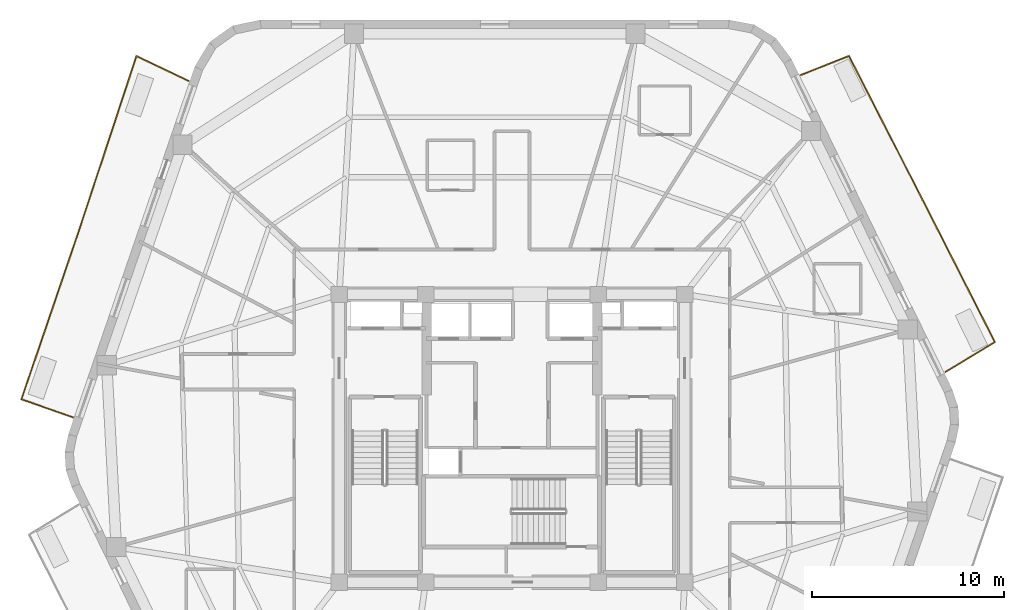
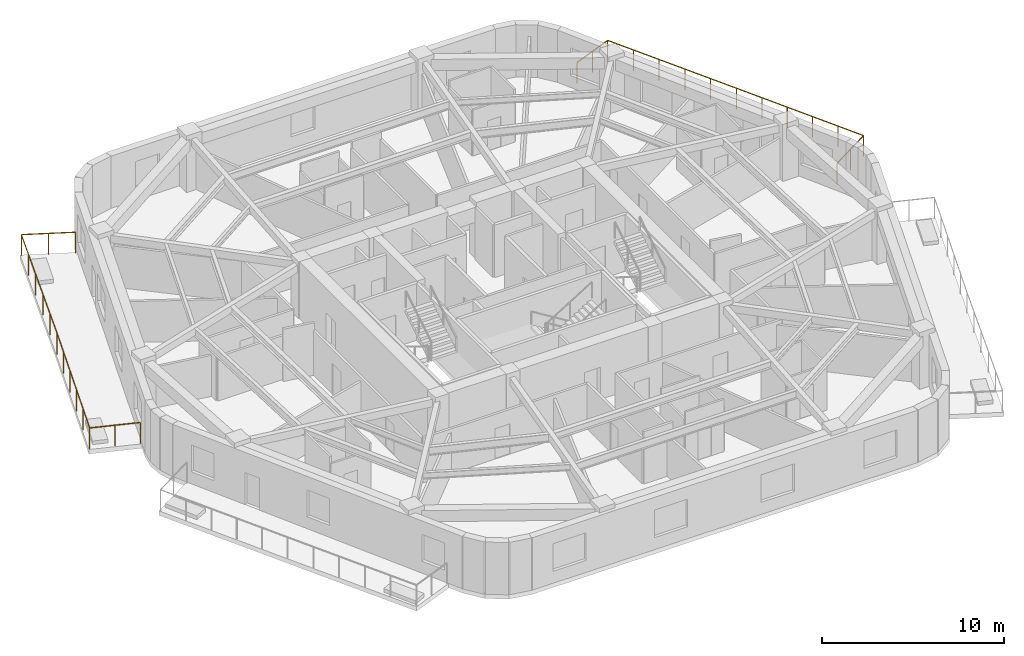
# One storey, part 9 of 9: 2 railings.
"""IFC4 building model written with IfcOpenShell, lengths in metres."""

from ifc_helpers import new_model, si_unit, direction, frame, origin, origin_2d, place, context, subcontext, project, spatial, rectangle, extrude, material, layer, layer_set, type_object, element, save


model = new_model("IFC4")

# Units and contexts
model_context = context("Model", 3, precision=1e-05, world=origin(), true_north=direction((0.0, 1.0)))
body_context = subcontext(model_context, "Body", "Model", "MODEL_VIEW")
ifc_project = project(units=[si_unit("LENGTHUNIT", "METRE"), si_unit("AREAUNIT", "SQUARE_METRE"), si_unit("VOLUMEUNIT", "CUBIC_METRE"), si_unit("PLANEANGLEUNIT", "RADIAN"), si_unit("MASSUNIT", "GRAM", prefix="KILO")], contexts=[model_context])

# Site, building, storey
site_placement = place(None, origin())
site = spatial("IfcSite", under=ifc_project, at=site_placement, CompositionType="ELEMENT")
building_placement = place(site_placement, origin())
building = spatial("IfcBuilding", under=site, at=building_placement, Name="Kilnhurst Terrace Hotel", CompositionType="ELEMENT")
storey_placement = place(building_placement, frame((0.0, 0.0, 233.10009765625)))
storey = spatial("IfcBuildingStorey", under=building, at=storey_placement, Name="L58", CompositionType="ELEMENT", Elevation=233.10009765625)

# Railings
ifc_material = material(Name="Laminated SentryGlas and Stainless Steel AISI 316L Balustrade", Category="steel")
ifc_layer = layer(ifc_material, 0.070068359375, Name="Laminated SentryGlas and Stainless Steel AISI 316L Balustrade")
ifc_layer_set = layer_set([ifc_layer], Name="Laminated SentryGlas and Stainless Steel AISI 316L Balustrade")
railing_type = type_object("IfcRailingType", Name="RLG-BAL-1420", PredefinedType="BALUSTRADE", material=ifc_layer_set)
railing_1_placement = place(storey_placement, frame((15.0546875, 18.933349609375, 0.0)))
element("IfcRailing", 1, at=railing_1_placement, inside=storey, type_object=railing_type, Name="L58 Exterior Terrace Guardrail BAL-L1B.1", PredefinedType="BALUSTRADE", context=body_context, shape_type="SweptSolid", body=[
    extrude(rectangle(XDim=0.048095703125, YDim=0.048095703125, at=origin_2d()), frame((0.0, 0.0, 1.39599609375), z_axis=(0.929913162101, 0.367779160574, 0.0), x_axis=(-0.367779160574, 0.929913162101, 0.0)), (0.0, 0.0, 1.0), 2.694580078125),
    extrude(rectangle(XDim=0.048095703125, YDim=0.048095703125, at=origin_2d()), frame((2.505615234375, 0.990966796875, 1.39599609375), z_axis=(0.455129479154, -0.890425267614, 0.0), x_axis=(0.890425267614, 0.455129479154, 0.0)), (0.0, 0.0, 1.0), 8.4072265625),
    extrude(rectangle(XDim=0.048095703125, YDim=0.048095703125, at=origin_2d()), frame((6.33203125, -6.4951171875, 1.39599609375), z_axis=(0.45338853952, -0.891312982196, 0.0), x_axis=(0.891312982196, 0.45338853952, 0.0)), (0.0, 0.0, 1.0), 8.320068359375),
    extrude(rectangle(XDim=0.048095703125, YDim=0.048095703125, at=origin_2d()), frame((10.104248046875, -13.910888671875, 1.39599609375), z_axis=(-0.854990626614, -0.518643450168, 0.0), x_axis=(0.518643450168, -0.854990626614, 0.0)), (0.0, 0.0, 1.0), 3.008056640625),
    extrude(rectangle(XDim=0.0419921875, YDim=0.0419921875, at=origin_2d()), origin(), (0.0, 0.0, 1.0), 1.371826171875),
    extrude(rectangle(XDim=0.0419921875, YDim=0.0419921875, at=origin_2d()), frame((1.2529296875, 0.49560546875, 0.0)), (0.0, 0.0, 1.0), 1.371826171875),
    extrude(rectangle(XDim=0.0419921875, YDim=0.0419921875, at=origin_2d()), frame((2.505615234375, 0.990966796875, 0.0)), (0.0, 0.0, 1.0), 1.371826171875),
    extrude(rectangle(XDim=0.0419921875, YDim=0.0419921875, at=origin_2d()), frame((3.27099609375, -0.50634765625, 0.0)), (0.0, 0.0, 1.0), 1.371826171875),
    extrude(rectangle(XDim=0.0419921875, YDim=0.0419921875, at=origin_2d()), frame((4.0361328125, -2.00341796875, 0.0)), (0.0, 0.0, 1.0), 1.371826171875),
    extrude(rectangle(XDim=0.0419921875, YDim=0.0419921875, at=origin_2d()), frame((4.801513671875, -3.500732421875, 0.0)), (0.0, 0.0, 1.0), 1.371826171875),
    extrude(rectangle(XDim=0.0419921875, YDim=0.0419921875, at=origin_2d()), frame((5.566650390625, -4.997802734375, 0.0)), (0.0, 0.0, 1.0), 1.371826171875),
    extrude(rectangle(XDim=0.0419921875, YDim=0.0419921875, at=origin_2d()), frame((6.33203125, -6.4951171875, 0.0)), (0.0, 0.0, 1.0), 1.371826171875),
    extrude(rectangle(XDim=0.0419921875, YDim=0.0419921875, at=origin_2d()), frame((7.08642578125, -7.978271484375, 0.0)), (0.0, 0.0, 1.0), 1.371826171875),
    extrude(rectangle(XDim=0.0419921875, YDim=0.0419921875, at=origin_2d()), frame((7.8408203125, -9.46142578125, 0.0)), (0.0, 0.0, 1.0), 1.371826171875),
    extrude(rectangle(XDim=0.0419921875, YDim=0.0419921875, at=origin_2d()), frame((8.595458984375, -10.944580078125, 0.0)), (0.0, 0.0, 1.0), 1.371826171875),
    extrude(rectangle(XDim=0.0419921875, YDim=0.0419921875, at=origin_2d()), frame((9.349853515625, -12.427734375, 0.0)), (0.0, 0.0, 1.0), 1.371826171875),
    extrude(rectangle(XDim=0.0419921875, YDim=0.0419921875, at=origin_2d()), frame((10.104248046875, -13.910888671875, 0.0)), (0.0, 0.0, 1.0), 1.371826171875),
    extrude(rectangle(XDim=0.0419921875, YDim=0.0419921875, at=origin_2d()), frame((8.818359375, -14.69091796875, 0.0)), (0.0, 0.0, 1.0), 1.371826171875),
    extrude(rectangle(XDim=0.0419921875, YDim=0.0419921875, at=origin_2d()), frame((7.532470703125, -15.470947265625, 0.0)), (0.0, 0.0, 1.0), 1.371826171875),
])
railing_2_placement = place(storey_placement, frame((-22.894287109375, 1.1005859375, 0.0)))
element("IfcRailing", 2, at=railing_2_placement, inside=storey, type_object=railing_type, Name="L58 Exterior Terrace Guardrail BAL-L2A.1", PredefinedType="BALUSTRADE", context=body_context, shape_type="SweptSolid", body=[
    extrude(rectangle(XDim=0.048095703125, YDim=0.048095703125, at=origin_2d()), frame((0.0, 0.0, 1.39599609375), z_axis=(-0.943611810029, 0.331054001597, 0.0), x_axis=(-0.331054001597, -0.943611810029, 0.0)), (0.0, 0.0, 1.0), 2.828125),
    extrude(rectangle(XDim=0.048095703125, YDim=0.048095703125, at=origin_2d()), frame((-2.668701171875, 0.936279296875, 1.39599609375), z_axis=(0.322845243604, 0.946451767753, 0.0), x_axis=(-0.946451767753, 0.322845243604, 0.0)), (0.0, 0.0, 1.0), 9.19775390625),
    extrude(rectangle(XDim=0.048095703125, YDim=0.048095703125, at=origin_2d()), frame((0.30078125, 9.6416015625, 1.39599609375), z_axis=(0.316227766017, 0.948683298051, 0.0), x_axis=(-0.948683298051, 0.316227766017, 0.0)), (0.0, 0.0, 1.0), 0.000732421875),
    extrude(rectangle(XDim=0.048095703125, YDim=0.048095703125, at=origin_2d()), frame((0.301025390625, 9.642333984375, 1.39599609375), z_axis=(0.31308682558, 0.949724507238, 0.0), x_axis=(-0.949724507238, 0.31308682558, 0.0)), (0.0, 0.0, 1.0), 9.6591796875),
    extrude(rectangle(XDim=0.048095703125, YDim=0.048095703125, at=origin_2d()), frame((3.3251953125, 18.81591796875, 1.39599609375), z_axis=(0.902564652544, -0.430554349622, 0.0), x_axis=(0.430554349622, 0.902564652544, 0.0)), (0.0, 0.0, 1.0), 2.99169921875),
    extrude(rectangle(XDim=0.0419921875, YDim=0.0419921875, at=origin_2d()), origin(), (0.0, 0.0, 1.0), 1.371826171875),
    extrude(rectangle(XDim=0.0419921875, YDim=0.0419921875, at=origin_2d()), frame((-1.33447265625, 0.46826171875, 0.0)), (0.0, 0.0, 1.0), 1.371826171875),
    extrude(rectangle(XDim=0.0419921875, YDim=0.0419921875, at=origin_2d()), frame((-2.668701171875, 0.936279296875, 0.0)), (0.0, 0.0, 1.0), 1.371826171875),
    extrude(rectangle(XDim=0.0419921875, YDim=0.0419921875, at=origin_2d()), frame((-2.07470703125, 2.67724609375, 0.0)), (0.0, 0.0, 1.0), 1.371826171875),
    extrude(rectangle(XDim=0.0419921875, YDim=0.0419921875, at=origin_2d()), frame((-1.48095703125, 4.41845703125, 0.0)), (0.0, 0.0, 1.0), 1.371826171875),
    extrude(rectangle(XDim=0.0419921875, YDim=0.0419921875, at=origin_2d()), frame((-0.886962890625, 6.159423828125, 0.0)), (0.0, 0.0, 1.0), 1.371826171875),
    extrude(rectangle(XDim=0.0419921875, YDim=0.0419921875, at=origin_2d()), frame((-0.293212890625, 7.900634765625, 0.0)), (0.0, 0.0, 1.0), 1.371826171875),
    extrude(rectangle(XDim=0.0419921875, YDim=0.0419921875, at=origin_2d()), frame((0.30078125, 9.6416015625, 0.0)), (0.0, 0.0, 1.0), 1.371826171875),
    extrude(rectangle(XDim=0.0419921875, YDim=0.0419921875, at=origin_2d()), frame((0.301025390625, 9.642333984375, 0.0)), (0.0, 0.0, 1.0), 1.371826171875),
    extrude(rectangle(XDim=0.0419921875, YDim=0.0419921875, at=origin_2d()), frame((0.90576171875, 11.47705078125, 0.0)), (0.0, 0.0, 1.0), 1.371826171875),
    extrude(rectangle(XDim=0.0419921875, YDim=0.0419921875, at=origin_2d()), frame((1.5107421875, 13.311767578125, 0.0)), (0.0, 0.0, 1.0), 1.371826171875),
    extrude(rectangle(XDim=0.0419921875, YDim=0.0419921875, at=origin_2d()), frame((2.115478515625, 15.146484375, 0.0)), (0.0, 0.0, 1.0), 1.371826171875),
    extrude(rectangle(XDim=0.0419921875, YDim=0.0419921875, at=origin_2d()), frame((2.720458984375, 16.981201171875, 0.0)), (0.0, 0.0, 1.0), 1.371826171875),
    extrude(rectangle(XDim=0.0419921875, YDim=0.0419921875, at=origin_2d()), frame((3.3251953125, 18.81591796875, 0.0)), (0.0, 0.0, 1.0), 1.371826171875),
    extrude(rectangle(XDim=0.0419921875, YDim=0.0419921875, at=origin_2d()), frame((4.67529296875, 18.171875, 0.0)), (0.0, 0.0, 1.0), 1.371826171875),
    extrude(rectangle(XDim=0.0419921875, YDim=0.0419921875, at=origin_2d()), frame((6.025390625, 17.52783203125, 0.0)), (0.0, 0.0, 1.0), 1.371826171875),
])

save(model, "model.ifc")
